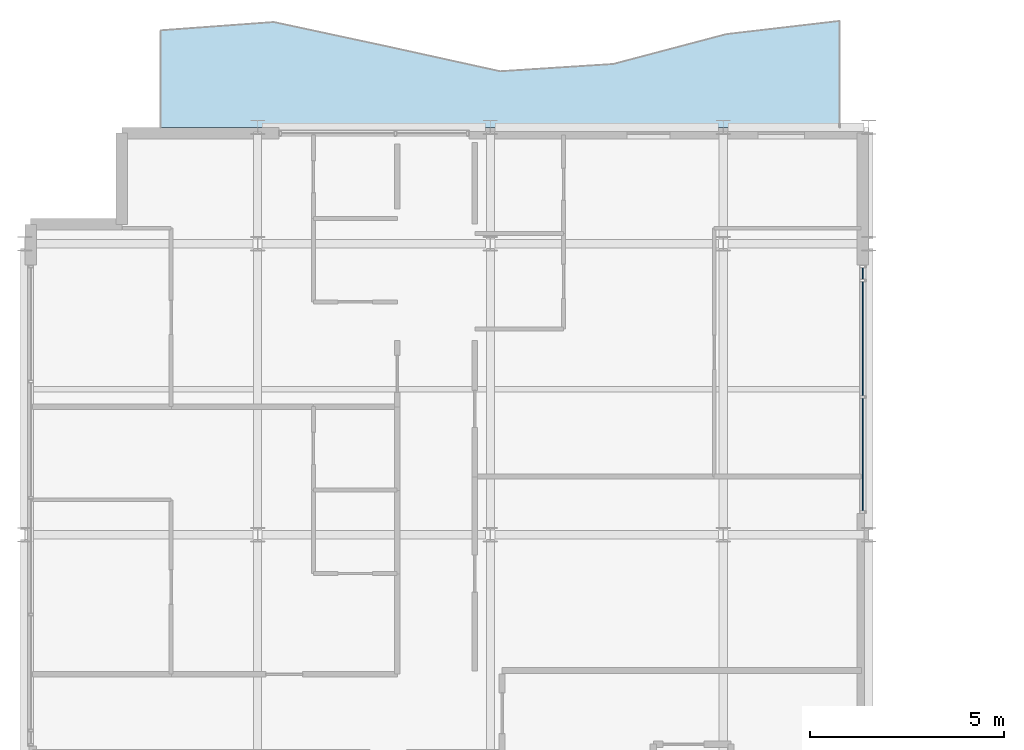
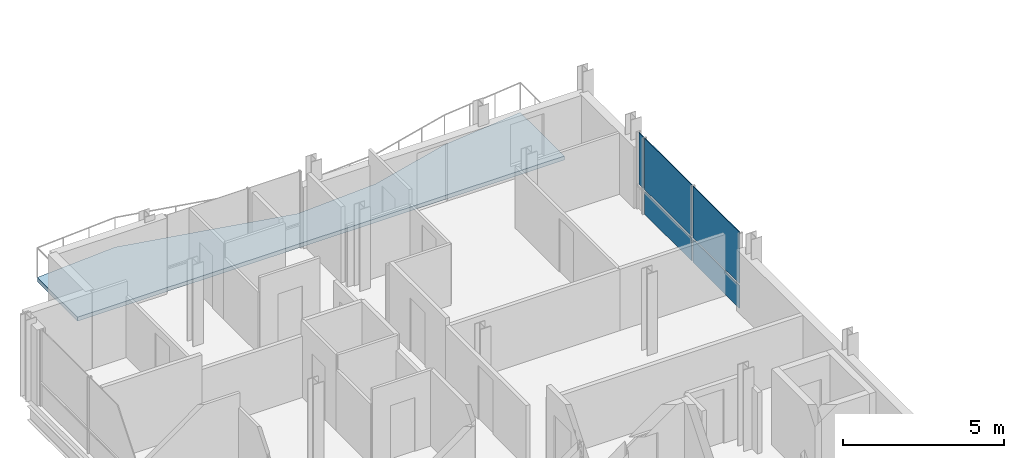
# One storey, part 18 of 29: 5 plates, 1 slab, 1 element without a shape of its own.
"""IFC4 building model written with IfcOpenShell, lengths in metres."""

import ifcopenshell
import ifcopenshell.guid

model = None  # the IFC model being written
_history = None  # IfcOwnerHistory: only IFC2X3 demands one
_inside = {}  # id of a spatial element -> (the spatial element, [elements in it])
_under = {}  # id of a project, library or spatial element -> (it, [spatial elements below it])
_declared = {}  # id of a project -> (the project, [libraries it declares])
_typed = {}  # id of a type object -> (the type object, [elements of that type])
_made_of = {}  # id of a material, layer set ... -> (it, [elements and type objects made of it])


def new_model(schema):
    """Start an empty IFC model of exactly this schema.

    Asked for "IFC4X3", IfcOpenShell would pick the latest addendum, in which some entities
    have other attributes; the version numbers below select the first issue.
    IFC2X3 requires an IfcOwnerHistory on every rooted entity: one is made here for all.
    """
    global model, _history
    if schema == "IFC4X3":
        model = ifcopenshell.file(schema_version=(4, 3, 0, 0))
    else:
        model = ifcopenshell.file(schema=schema)
    _inside.clear()
    _under.clear()
    _declared.clear()
    _typed.clear()
    _made_of.clear()
    _history = None
    if model.schema == "IFC2X3":
        org = make("IfcOrganization", Name="unknown")
        user = make(
            "IfcPersonAndOrganization",
            ThePerson=make("IfcPerson", FamilyName="unknown"),
            TheOrganization=org,
        )
        app = make(
            "IfcApplication",
            ApplicationDeveloper=org,
            Version="unknown",
            ApplicationFullName="unknown",
            ApplicationIdentifier="unknown",
        )
        _history = make(
            "IfcOwnerHistory",
            OwningUser=user,
            OwningApplication=app,
            ChangeAction="ADDED",
            CreationDate=0,
        )
    return model


def make(cls, **values):
    """One entity of the class cls with the attributes given. An attribute that is None is left unset."""
    return model.create_entity(
        cls, **{name: value for name, value in values.items() if value is not None}
    )


def rooted(cls, **values):
    """An entity with a GlobalId (a new one), such as an element, a storey or a relation."""
    return make(cls, GlobalId=ifcopenshell.guid.new(), OwnerHistory=_history, **values)


def si_unit(unit_type, name, prefix=None):
    """IfcSIUnit, for example si_unit("LENGTHUNIT", "METRE", prefix="MILLI")."""
    return make("IfcSIUnit", UnitType=unit_type, Prefix=prefix, Name=name)


def assignment(units):
    """IfcUnitAssignment: the units of a project."""
    return None if units is None else make("IfcUnitAssignment", Units=units)


def point(xyz):
    """IfcCartesianPoint."""
    return None if xyz is None else make("IfcCartesianPoint", Coordinates=xyz)


def direction(xyz):
    """IfcDirection."""
    return None if xyz is None else make("IfcDirection", DirectionRatios=xyz)


def frame(location, z_axis=None, x_axis=None):
    """IfcAxis2Placement3D, a coordinate frame: its origin and axes. An axis left out is left unset."""
    return make(
        "IfcAxis2Placement3D",
        Location=point(location),
        Axis=direction(z_axis),
        RefDirection=direction(x_axis),
    )


def frame_2d(location, x_axis=None):
    """IfcAxis2Placement2D, a coordinate frame in the plane: its origin and x axis."""
    return make(
        "IfcAxis2Placement2D", Location=point(location), RefDirection=direction(x_axis)
    )


def origin():
    """The frame at (0, 0, 0) with its axes left unset."""
    return frame((0.0, 0.0, 0.0))


def origin_2d():
    """The frame at (0, 0) in the plane with its x axis left unset."""
    return frame_2d((0.0, 0.0))


def place(relative_to, where):
    """IfcLocalPlacement: puts the frame where relative to a parent placement (None: the world)."""
    return make(
        "IfcLocalPlacement", PlacementRelTo=relative_to, RelativePlacement=where
    )


def context(
    kind, dimensions, precision=None, world=None, true_north=None, identifier=None
):
    """IfcGeometricRepresentationContext, for example the 3D "Model" context."""
    return make(
        "IfcGeometricRepresentationContext",
        ContextIdentifier=identifier,
        ContextType=kind,
        CoordinateSpaceDimension=dimensions,
        Precision=precision,
        WorldCoordinateSystem=world,
        TrueNorth=true_north,
    )


def subcontext(parent, identifier, kind, view, scale=None):
    """IfcGeometricRepresentationSubContext, for example "Body" below "Model"."""
    return make(
        "IfcGeometricRepresentationSubContext",
        ContextIdentifier=identifier,
        ContextType=kind,
        ParentContext=parent,
        TargetScale=scale,
        TargetView=view,
    )


def project(units=None, contexts=None):
    """IfcProject with its units and contexts."""
    return rooted(
        "IfcProject",
        Name="project",
        RepresentationContexts=contexts,
        UnitsInContext=assignment(units),
    )


def spatial(cls, under=None, at=None, **own):
    """A site, building, storey or space (cls), placed at a placement, below another one or the project."""
    s = rooted(cls, ObjectPlacement=at, **own)
    if under is not None:
        _under.setdefault(under.id(), (under, []))[1].append(s)
    return s


def polyline(points):
    """IfcPolyline through the points."""
    return make("IfcPolyline", Points=[point(p) for p in points])


def profile(cls, at=None, kind="AREA", **sizes):
    """A parametric profile (cls). Its sizes go by their IFC names, for example OverallWidth=200.0."""
    return make(cls, ProfileType=kind, Position=at, **sizes)


def rectangle(**sizes):
    """IfcRectangleProfileDef."""
    return profile("IfcRectangleProfileDef", **sizes)


def outline(outer, holes=None, kind="AREA"):
    """IfcArbitraryClosedProfileDef: a profile drawn as a closed curve; with holes, ...WithVoids."""
    if holes is None:
        return make("IfcArbitraryClosedProfileDef", ProfileType=kind, OuterCurve=outer)
    return make(
        "IfcArbitraryProfileDefWithVoids",
        ProfileType=kind,
        OuterCurve=outer,
        InnerCurves=holes,
    )


def extrude(swept, where, along, depth):
    """IfcExtrudedAreaSolid: the profile swept, set in the frame where, extruded along a direction by depth."""
    return make(
        "IfcExtrudedAreaSolid",
        SweptArea=swept,
        Position=where,
        ExtrudedDirection=direction(along),
        Depth=depth,
    )


def shape(context_of_items, identifier, shape_type, items):
    """IfcShapeRepresentation: the items that make up one representation, for example the "Body"."""
    return make(
        "IfcShapeRepresentation",
        ContextOfItems=context_of_items,
        RepresentationIdentifier=identifier,
        RepresentationType=shape_type,
        Items=items,
    )


def material(Name=None, Category=None):
    """IfcMaterial."""
    return make("IfcMaterial", Name=Name, Category=Category)


def layer(
    of_material, thickness, ventilated=None, Name=None, Category=None, Priority=None
):
    """IfcMaterialLayer: one layer of a wall or slab, of a material (None: an air gap)."""
    return make(
        "IfcMaterialLayer",
        Material=of_material,
        LayerThickness=thickness,
        IsVentilated=ventilated,
        Name=Name,
        Category=Category,
        Priority=Priority,
    )


def layer_set(layers, Name=None):
    """IfcMaterialLayerSet."""
    return make("IfcMaterialLayerSet", MaterialLayers=layers, LayerSetName=Name)


def made_of(thing, what):
    """Note that an element or type object is made of a material, layer set ...; save() writes the relation."""
    if what is not None:
        _made_of.setdefault(what.id(), (what, []))[1].append(thing)
    return thing


def type_object(cls, material=None, **own):
    """A type object (cls), such as IfcWallType, which elements share."""
    return made_of(rooted(cls, **own), material)


def element(
    cls,
    number,
    at=None,
    inside=None,
    cuts=None,
    type_object=None,
    material=None,
    context=None,
    identifier="Body",
    shape_type=None,
    held_by="IfcProductDefinitionShape",
    body=None,
    shapes=None,
    **own,
):
    """One element of the class cls, such as IfcWall. Its Tag is "e" and its number.

    at: its placement. inside: the storey or other place that contains it. cuts: it is an
    opening in that element (IfcRelVoidsElement). A single representation is given by context,
    identifier, shape_type and body (its items); several are given by shapes. held_by: the class
    of the entity that holds the representations. save() writes the other relations.
    """
    e = rooted(cls, Tag="e%d" % number, ObjectPlacement=at, **own)
    if body is not None:
        shapes = [shape(context, identifier, shape_type, body)]
    if shapes is not None:
        e.Representation = make(held_by, Representations=shapes)
    if inside is not None:
        _inside.setdefault(inside.id(), (inside, []))[1].append(e)
    if cuts is not None:
        rooted(
            "IfcRelVoidsElement", RelatingBuildingElement=cuts, RelatedOpeningElement=e
        )
    if type_object is not None:
        _typed.setdefault(type_object.id(), (type_object, []))[1].append(e)
    return made_of(e, material)


def aggregate(whole, parts):
    """IfcRelAggregates: a whole, such as a stair, and the parts it consists of."""
    return rooted("IfcRelAggregates", RelatingObject=whole, RelatedObjects=parts)


def save(model, path):
    """Write the relations noted so far, then the file.

    IfcRelAggregates (storeys below a building ...), IfcRelContainedInSpatialStructure (elements
    in a storey), IfcRelDefinesByType, IfcRelAssociatesMaterial and IfcRelDeclares: one each for
    every whole, place, type object, material and project.
    """
    for whole, parts in _under.values():
        aggregate(whole, parts)
    for where, things in _inside.values():
        rooted(
            "IfcRelContainedInSpatialStructure",
            RelatedElements=things,
            RelatingStructure=where,
        )
    for kind, things in _typed.values():
        rooted("IfcRelDefinesByType", RelatedObjects=things, RelatingType=kind)
    for what, things in _made_of.values():
        rooted("IfcRelAssociatesMaterial", RelatedObjects=things, RelatingMaterial=what)
    for by, libraries in _declared.values():
        rooted("IfcRelDeclares", RelatingContext=by, RelatedDefinitions=libraries)
    model.write(path)


model = new_model("IFC4")

# Units and contexts
model_context = context("Model", 3, precision=1e-05, world=origin(), true_north=direction((0.0, 1.0)))
body_context = subcontext(model_context, "Body", "Model", "MODEL_VIEW")
ifc_project = project(units=[si_unit("LENGTHUNIT", "METRE"), si_unit("AREAUNIT", "SQUARE_METRE"), si_unit("VOLUMEUNIT", "CUBIC_METRE"), si_unit("PLANEANGLEUNIT", "RADIAN"), si_unit("MASSUNIT", "GRAM", prefix="KILO")], contexts=[model_context])

# Site, building, storey
site_placement = place(None, origin())
site = spatial("IfcSite", under=ifc_project, at=site_placement, CompositionType="ELEMENT")
building_placement = place(site_placement, origin())
building = spatial("IfcBuilding", under=site, at=building_placement, Name="Brevholm Reach", CompositionType="ELEMENT")
storey_placement = place(building_placement, frame((0.0, 0.0, 201.800048828125)))
storey = spatial("IfcBuildingStorey", under=building, at=storey_placement, Name="L61", CompositionType="ELEMENT", Elevation=201.800048828125)

# Curtain wall, plates
ifc_material_1 = material(Name="Dark Anodised Aluminium 6063-T6 and Solar-Control Glass", Category="aluminium")
ifc_layer_1 = layer(ifc_material_1, 0.1650390625)
ifc_layer_set_1 = layer_set([ifc_layer_1], Name="Dark Anodised Aluminium 6063-T6 and Solar-Control Glass")
curtain_wall_type = type_object("IfcCurtainWallType", Name="CW-04", PredefinedType="NOTDEFINED", material=ifc_layer_set_1)
curtain_wall_placement = place(storey_placement, origin())
curtain_wall = element("IfcCurtainWall", 1, at=curtain_wall_placement, inside=storey, type_object=curtain_wall_type, Name="L61 Curtain Wall CW-04", PredefinedType="NOTDEFINED")
ifc_material_2 = material(Name="Dark Solar-Control Double-Glazed IGU Glass", Category="glass")
ifc_layer_2 = layer(ifc_material_2, 0.028076171875)
ifc_layer_set_2 = layer_set([ifc_layer_2], Name="Dark Solar-Control Double-Glazed IGU Glass")
plate_type = type_object("IfcPlateType", Name="CWP-GLZ-28", PredefinedType="CURTAIN_PANEL", material=ifc_layer_set_2)
plate_1_placement = place(storey_placement, frame((21.60009765625, 18.0673828125, 0.0), z_axis=(0.0, 0.0, 1.0), x_axis=(0.0, 1.0, 0.0)))
plate_1 = element("IfcPlate", 2, at=plate_1_placement, type_object=plate_type, Name="CP-01 Glazing Panel 1.1", PredefinedType="CURTAIN_PANEL", context=body_context, shape_type="SweptSolid", body=[
    extrude(rectangle(XDim=2.89501953125, YDim=0.028076171875, at=origin_2d()), origin(), (0.0, 0.0, 1.0), 0.864990234375),
])
plate_2_placement = place(storey_placement, frame((21.60009765625, 18.0673828125, 0.934814453125), z_axis=(0.0, 0.0, 1.0), x_axis=(0.0, 1.0, 0.0)))
plate_2 = element("IfcPlate", 3, at=plate_2_placement, type_object=plate_type, Name="CP-01 Glazing Panel 1.2", PredefinedType="CURTAIN_PANEL", context=body_context, shape_type="SweptSolid", body=[
    extrude(rectangle(XDim=2.89501953125, YDim=0.028076171875, at=origin_2d()), origin(), (0.0, 0.0, 1.0), 1.955078125),
])
plate_3_placement = place(storey_placement, frame((21.60009765625, 21.050048828125, 0.0), z_axis=(0.0, 0.0, 1.0), x_axis=(0.0, 1.0, 0.0)))
plate_3 = element("IfcPlate", 4, at=plate_3_placement, type_object=plate_type, Name="CP-01 Glazing Panel 2.1", PredefinedType="CURTAIN_PANEL", context=body_context, shape_type="SweptSolid", body=[
    extrude(rectangle(XDim=2.929931640625, YDim=0.028076171875, at=origin_2d()), origin(), (0.0, 0.0, 1.0), 0.864990234375),
])
plate_4_placement = place(storey_placement, frame((21.60009765625, 21.050048828125, 0.934814453125), z_axis=(0.0, 0.0, 1.0), x_axis=(0.0, 1.0, 0.0)))
plate_4 = element("IfcPlate", 5, at=plate_4_placement, type_object=plate_type, Name="CP-01 Glazing Panel 2.2", PredefinedType="CURTAIN_PANEL", context=body_context, shape_type="SweptSolid", body=[
    extrude(rectangle(XDim=2.929931640625, YDim=0.028076171875, at=origin_2d()), origin(), (0.0, 0.0, 1.0), 1.955078125),
])
plate_5_placement = place(storey_placement, frame((21.60009765625, 22.732421875, 0.934814453125), z_axis=(0.0, 0.0, 1.0), x_axis=(0.0, 1.0, 0.0)))
plate_5 = element("IfcPlate", 6, at=plate_5_placement, type_object=plate_type, Name="CP-01 Glazing Panel 3.2", PredefinedType="CURTAIN_PANEL", context=body_context, shape_type="SweptSolid", body=[
    extrude(rectangle(XDim=0.294921875, YDim=0.028076171875, at=origin_2d()), origin(), (0.0, 0.0, 1.0), 1.955078125),
])
aggregate(curtain_wall, [plate_1, plate_2, plate_3, plate_4, plate_5])

# Slab
ifc_material_3 = material(Name="Precast Concrete C45/55", Category="concrete")
ifc_layer_3 = layer(ifc_material_3, 0.14990234375)
ifc_layer_set_3 = layer_set([ifc_layer_3], Name="Precast Concrete C45/55")
slab_type = type_object("IfcSlabType", Name="SLB-BAL-150", PredefinedType="FLOOR", material=ifc_layer_set_3)
slab_placement = place(storey_placement, frame((0.0, 0.0, -0.150146484375)))
element("IfcSlab", 7, at=slab_placement, inside=storey, type_object=slab_type, Name="L61 Rippling External Balcony NW", PredefinedType="FLOOR", context=body_context, shape_type="SweptSolid", body=[
    extrude(outline(polyline([(3.5, 26.5), (21.0, 26.5), (21.0, 29.24169921875), (18.083251953125, 28.902099609375), (15.166748046875, 28.132080078125), (12.25, 27.94482421875), (9.333251953125, 28.5869140625), (6.416748046875, 29.213134765625), (3.5, 28.999755859375), (3.5, 26.5)])), origin(), (0.0, 0.0, 1.0), 0.150146484375),
])

save(model, "model.ifc")
